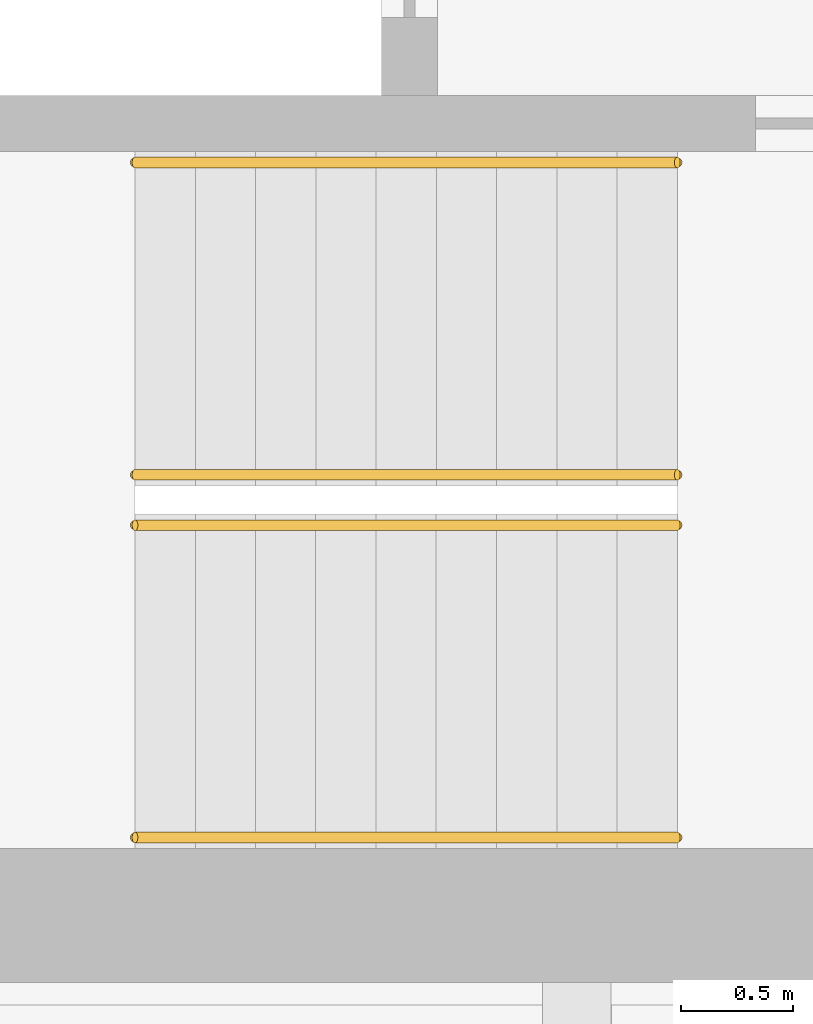
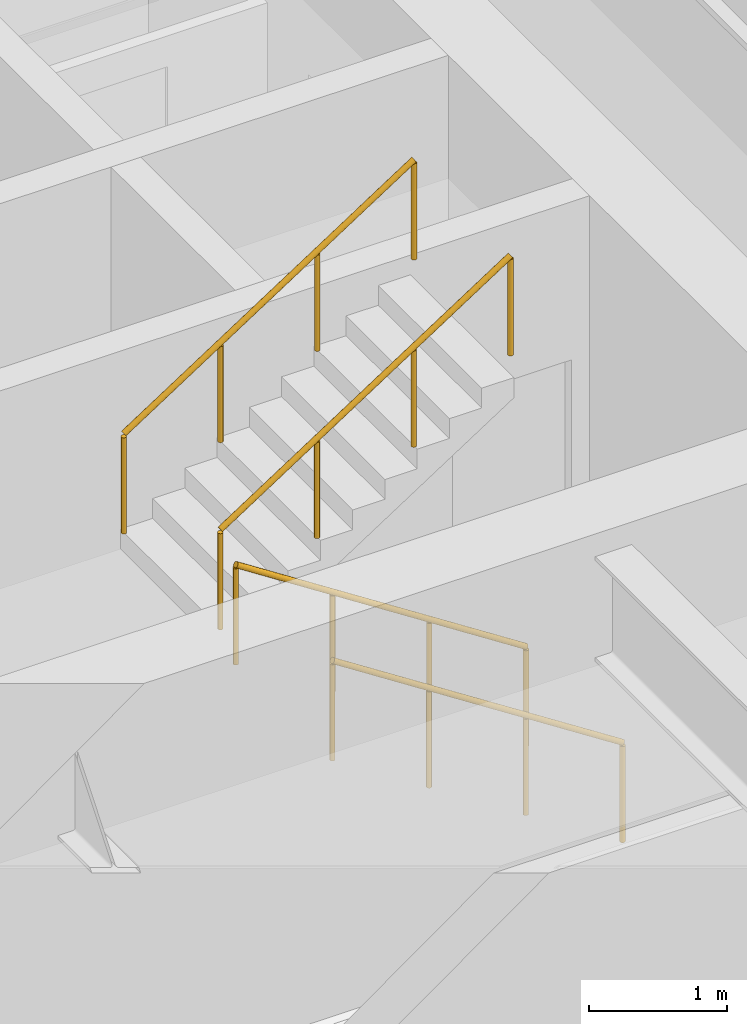
# One storey, part 17 of 21: 4 railings.
"""IFC4 building model written with IfcOpenShell, lengths in metres."""

from ifc_helpers import new_model, si_unit, direction, frame, origin, origin_2d, place, context, subcontext, project, spatial, circle, extrude, material, type_object, element, save


model = new_model("IFC4")

# Units and contexts
model_context = context("Model", 3, precision=1e-05, world=origin(), true_north=direction((0.0, 1.0)))
body_context = subcontext(model_context, "Body", "Model", "MODEL_VIEW")
ifc_project = project(units=[si_unit("LENGTHUNIT", "METRE"), si_unit("AREAUNIT", "SQUARE_METRE"), si_unit("VOLUMEUNIT", "CUBIC_METRE"), si_unit("PLANEANGLEUNIT", "RADIAN"), si_unit("MASSUNIT", "GRAM", prefix="KILO")], contexts=[model_context])

# Site, building, storey
site_placement = place(None, origin())
site = spatial("IfcSite", under=ifc_project, at=site_placement, CompositionType="ELEMENT")
building_placement = place(site_placement, origin())
building = spatial("IfcBuilding", under=site, at=building_placement, Name="Msasa Ring Tower", CompositionType="ELEMENT")
storey_placement = place(building_placement, frame((0.0, 0.0, 33.5)))
storey = spatial("IfcBuildingStorey", under=building, at=storey_placement, Name="L07", CompositionType="ELEMENT", Elevation=33.5)

# Railings
ifc_material = material(Name="Stainless steel", Category="steel")
railing_type = type_object("IfcRailingType", Name="HR1 HANDRAIL 900", PredefinedType="HANDRAIL", material=ifc_material)
for number, where, name in (
    (1, (-10.800048828125, -6.39990234375, 0.175048828125), "Handrail stair SWA L07 1"),
    (2, (-10.800048828125, -5.0, 0.175048828125), "Handrail stair SWA L07 2"),
):
    element("IfcRailing", number, at=place(storey_placement, frame(where)), inside=storey, type_object=railing_type, Name=name, PredefinedType="HANDRAIL", context=body_context, shape_type="SweptSolid", body=[
        extrude(circle(Radius=0.02392578125, at=origin_2d()), frame((0.0, 0.0, 0.8759765625), z_axis=(-0.839153699163, 0.0, 0.543894354798), x_axis=(0.0, -1.0, 0.0)), (0.0, 0.0, 1.0), 2.895751953125),
        extrude(circle(Radius=0.02099609375, at=origin_2d()), origin(), (0.0, 0.0, 1.0), 0.851806640625),
        extrude(circle(Radius=0.02099609375, at=origin_2d()), frame((-0.81005859375, 0.0, 0.52490234375)), (0.0, 0.0, 1.0), 0.851806640625),
        extrude(circle(Radius=0.02099609375, at=origin_2d()), frame((-1.619873046875, 0.0, 1.050048828125)), (0.0, 0.0, 1.0), 0.851806640625),
        extrude(circle(Radius=0.02099609375, at=origin_2d()), frame((-2.429931640625, 0.0, 1.574951171875)), (0.0, 0.0, 1.0), 0.851806640625),
    ])
for number, where, name in (
    (3, (-13.22998046875, -4.77490234375, 1.925048828125), "Handrail stair SWA L07 3"),
    (4, (-13.22998046875, -3.375, 1.925048828125), "Handrail stair SWA L07 4"),
):
    element("IfcRailing", number, at=place(storey_placement, frame(where)), inside=storey, type_object=railing_type, Name=name, PredefinedType="HANDRAIL", context=body_context, shape_type="SweptSolid", body=[
        extrude(circle(Radius=0.02392578125, at=origin_2d()), frame((0.0, 0.0, 0.8759765625), z_axis=(0.839153699163, 0.0, 0.543894354798), x_axis=(0.0, 1.0, 0.0)), (0.0, 0.0, 1.0), 2.895751953125),
        extrude(circle(Radius=0.02099609375, at=origin_2d()), origin(), (0.0, 0.0, 1.0), 0.851806640625),
        extrude(circle(Radius=0.02099609375, at=origin_2d()), frame((0.81005859375, 0.0, 0.52490234375)), (0.0, 0.0, 1.0), 0.851806640625),
        extrude(circle(Radius=0.02099609375, at=origin_2d()), frame((1.619873046875, 0.0, 1.050048828125)), (0.0, 0.0, 1.0), 0.851806640625),
        extrude(circle(Radius=0.02099609375, at=origin_2d()), frame((2.429931640625, 0.0, 1.574951171875)), (0.0, 0.0, 1.0), 0.851806640625),
    ])

save(model, "model.ifc")
